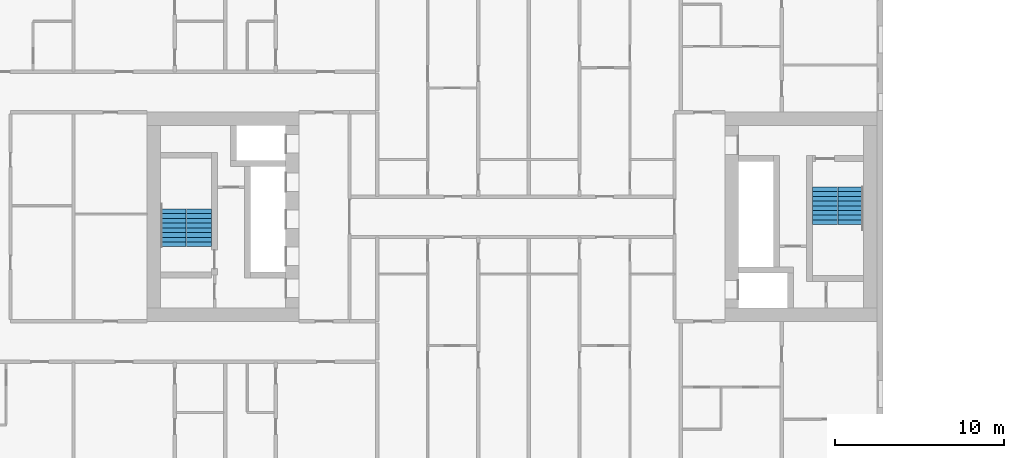
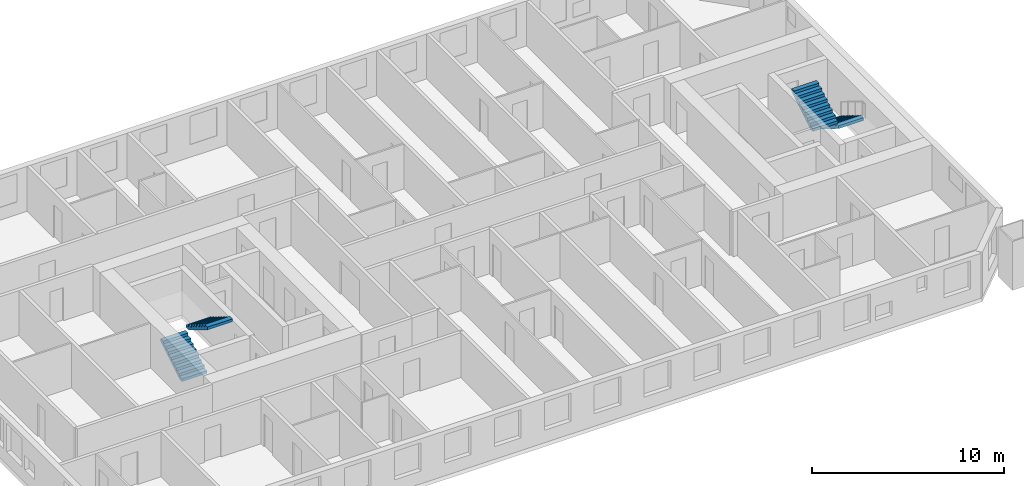
# One storey, part 16 of 17: 4 stair flights, 2 elements without a shape of their own.
"""IFC4 building model written with IfcOpenShell, lengths in metres."""

from ifc_helpers import new_model, si_unit, direction, frame, origin, place, context, subcontext, project, spatial, faceted_brep, material, type_object, element, aggregate, save


model = new_model("IFC4")

# Units and contexts
model_context = context("Model", 3, precision=1e-05, world=origin(), true_north=direction((0.0, 1.0)))
body_context = subcontext(model_context, "Body", "Model", "MODEL_VIEW")
ifc_project = project(units=[si_unit("LENGTHUNIT", "METRE"), si_unit("AREAUNIT", "SQUARE_METRE"), si_unit("VOLUMEUNIT", "CUBIC_METRE"), si_unit("PLANEANGLEUNIT", "RADIAN"), si_unit("MASSUNIT", "GRAM", prefix="KILO")], contexts=[model_context])

# Site, building, storey
site_placement = place(None, origin())
site = spatial("IfcSite", under=ifc_project, at=site_placement, CompositionType="ELEMENT")
building_placement = place(site_placement, origin())
building = spatial("IfcBuilding", under=site, at=building_placement, Name="Tuart Gate Housing", CompositionType="ELEMENT")
storey_placement = place(building_placement, frame((0.0, 0.0, 47.39990234375)))
storey = spatial("IfcBuildingStorey", under=building, at=storey_placement, Name="L12", CompositionType="ELEMENT", Elevation=47.39990234375)

# Stair, stair flights
ifc_material_1 = material(Name="Concrete C40", Category="concrete")
stair_type = type_object("IfcStairType", Name="Core stair 1500", PredefinedType="HALF_TURN_STAIR", material=ifc_material_1)
stair_1_placement = place(storey_placement, origin())
stair_1 = element("IfcStair", 1, at=stair_1_placement, inside=storey, type_object=stair_type, Name="Stair SA1", PredefinedType="HALF_TURN_STAIR")
ifc_material_2 = material(Name="Concrete C40", Category="concrete")
stair_flight_type = type_object("IfcStairFlightType", Name="Stair flight 1500, 9 risers 172 x 280", PredefinedType="STRAIGHT", material=ifc_material_2)
stair_flight_1_placement = place(storey_placement, frame((74.090087890625, 71.77490234375, 0.0), z_axis=(0.0, 0.0, 1.0), x_axis=(0.0, -1.0, 0.0)))
stair_flight_1 = element("IfcStairFlight", 2, at=stair_flight_1_placement, type_object=stair_flight_type, Name="SA1 flight 1", NumberOfRisers=9, NumberOfTreads=8, PredefinedType="STRAIGHT", RiserHeight=0.172222222, TreadLength=0.28, context=body_context, shape_type="Brep", body=[
    faceted_brep([(0.0, 0.75, 0.0), (0.0, 0.75, 0.172119140625), (0.280029296875, 0.75, 0.172119140625), (0.280029296875, 0.75, 0.344482421875), (0.56005859375, 0.75, 0.344482421875), (0.56005859375, 0.75, 0.5166015625), (0.840087890625, 0.75, 0.5166015625), (0.840087890625, 0.75, 0.68896484375), (1.1201171875, 0.75, 0.68896484375), (1.1201171875, 0.75, 0.861083984375), (1.39990234375, 0.75, 0.861083984375), (1.39990234375, 0.75, 1.033447265625), (1.679931640625, 0.75, 1.033447265625), (1.679931640625, 0.75, 1.20556640625), (1.9599609375, 0.75, 1.20556640625), (1.9599609375, 0.75, 1.377685546875), (2.239990234375, 0.75, 1.377685546875), (2.239990234375, 0.75, 1.201904296875), (0.2861328125, 0.75, 0.0), (0.2861328125, -0.75, 0.0), (2.239990234375, -0.75, 1.201904296875), (2.239990234375, -0.75, 1.377685546875), (1.9599609375, -0.75, 1.377685546875), (1.9599609375, -0.75, 1.20556640625), (1.679931640625, -0.75, 1.20556640625), (1.679931640625, -0.75, 1.033447265625), (1.39990234375, -0.75, 1.033447265625), (1.39990234375, -0.75, 0.861083984375), (1.1201171875, -0.75, 0.861083984375), (1.1201171875, -0.75, 0.68896484375), (0.840087890625, -0.75, 0.68896484375), (0.840087890625, -0.75, 0.5166015625), (0.56005859375, -0.75, 0.5166015625), (0.56005859375, -0.75, 0.344482421875), (0.280029296875, -0.75, 0.344482421875), (0.280029296875, -0.75, 0.172119140625), (0.0, -0.75, 0.172119140625), (0.0, -0.75, 0.0), (2.239990234375, 0.0, 1.201904296875), (0.2861328125, 0.0, 0.0), (2.239990234375, 0.0, 1.377685546875), (1.9599609375, 0.0, 1.377685546875), (1.9599609375, 0.0, 1.20556640625), (1.679931640625, 0.0, 1.20556640625), (1.679931640625, 0.0, 1.033447265625), (1.39990234375, 0.0, 1.033447265625), (1.39990234375, 0.0, 0.861083984375), (1.1201171875, 0.0, 0.861083984375), (1.1201171875, 0.0, 0.68896484375), (0.840087890625, 0.0, 0.68896484375), (0.840087890625, 0.0, 0.5166015625), (0.56005859375, 0.0, 0.5166015625), (0.56005859375, 0.0, 0.344482421875), (0.280029296875, 0.0, 0.344482421875), (0.280029296875, 0.0, 0.172119140625), (0.0, 0.0, 0.172119140625), (0.0, 0.0, 0.0)], [[[0, 1, 2, 3, 4, 5, 6, 7, 8, 9, 10, 11, 12, 13, 14, 15, 16, 17, 18]], [[19, 20, 21, 22, 23, 24, 25, 26, 27, 28, 29, 30, 31, 32, 33, 34, 35, 36, 37]], [[18, 17, 38, 39]], [[39, 38, 20, 19]], [[17, 16, 40, 38]], [[38, 40, 21, 20]], [[16, 15, 41, 40]], [[40, 41, 22, 21]], [[15, 14, 42, 41]], [[41, 42, 23, 22]], [[14, 13, 43, 42]], [[42, 43, 24, 23]], [[13, 12, 44, 43]], [[43, 44, 25, 24]], [[12, 11, 45, 44]], [[44, 45, 26, 25]], [[11, 10, 46, 45]], [[45, 46, 27, 26]], [[10, 9, 47, 46]], [[46, 47, 28, 27]], [[9, 8, 48, 47]], [[47, 48, 29, 28]], [[8, 7, 49, 48]], [[48, 49, 30, 29]], [[7, 6, 50, 49]], [[49, 50, 31, 30]], [[6, 5, 51, 50]], [[50, 51, 32, 31]], [[5, 4, 52, 51]], [[51, 52, 33, 32]], [[4, 3, 53, 52]], [[52, 53, 34, 33]], [[3, 2, 54, 53]], [[53, 54, 35, 34]], [[2, 1, 55, 54]], [[54, 55, 36, 35]], [[1, 0, 56, 55]], [[55, 56, 37, 36]], [[0, 18, 39, 56]], [[56, 39, 19, 37]]]),
])
stair_flight_2_placement = place(storey_placement, frame((72.56494140625, 69.534912109375, 1.550048828125), z_axis=(0.0, 0.0, 1.0), x_axis=(0.0, 1.0, 0.0)))
stair_flight_2 = element("IfcStairFlight", 3, at=stair_flight_2_placement, type_object=stair_flight_type, Name="SA1 flight 2", NumberOfRisers=9, NumberOfTreads=8, PredefinedType="STRAIGHT", RiserHeight=0.172222222, TreadLength=0.28, context=body_context, shape_type="Brep", body=[
    faceted_brep([(0.0, 0.75, 0.0), (0.0, 0.75, 0.172119140625), (0.280029296875, 0.75, 0.172119140625), (0.280029296875, 0.75, 0.344482421875), (0.56005859375, 0.75, 0.344482421875), (0.56005859375, 0.75, 0.5166015625), (0.840087890625, 0.75, 0.5166015625), (0.840087890625, 0.75, 0.68896484375), (1.1201171875, 0.75, 0.68896484375), (1.1201171875, 0.75, 0.861083984375), (1.39990234375, 0.75, 0.861083984375), (1.39990234375, 0.75, 1.033447265625), (1.679931640625, 0.75, 1.033447265625), (1.679931640625, 0.75, 1.20556640625), (1.9599609375, 0.75, 1.20556640625), (1.9599609375, 0.75, 1.377685546875), (2.239990234375, 0.75, 1.377685546875), (2.239990234375, 0.75, 1.201904296875), (0.2861328125, 0.75, 0.0), (0.2861328125, -0.75, 0.0), (2.239990234375, -0.75, 1.201904296875), (2.239990234375, -0.75, 1.377685546875), (1.9599609375, -0.75, 1.377685546875), (1.9599609375, -0.75, 1.20556640625), (1.679931640625, -0.75, 1.20556640625), (1.679931640625, -0.75, 1.033447265625), (1.39990234375, -0.75, 1.033447265625), (1.39990234375, -0.75, 0.861083984375), (1.1201171875, -0.75, 0.861083984375), (1.1201171875, -0.75, 0.68896484375), (0.840087890625, -0.75, 0.68896484375), (0.840087890625, -0.75, 0.5166015625), (0.56005859375, -0.75, 0.5166015625), (0.56005859375, -0.75, 0.344482421875), (0.280029296875, -0.75, 0.344482421875), (0.280029296875, -0.75, 0.172119140625), (0.0, -0.75, 0.172119140625), (0.0, -0.75, 0.0), (2.239990234375, 0.0, 1.201904296875), (0.2861328125, 0.0, 0.0), (2.239990234375, 0.0, 1.377685546875), (1.9599609375, 0.0, 1.377685546875), (1.9599609375, 0.0, 1.20556640625), (1.679931640625, 0.0, 1.20556640625), (1.679931640625, 0.0, 1.033447265625), (1.39990234375, 0.0, 1.033447265625), (1.39990234375, 0.0, 0.861083984375), (1.1201171875, 0.0, 0.861083984375), (1.1201171875, 0.0, 0.68896484375), (0.840087890625, 0.0, 0.68896484375), (0.840087890625, 0.0, 0.5166015625), (0.56005859375, 0.0, 0.5166015625), (0.56005859375, 0.0, 0.344482421875), (0.280029296875, 0.0, 0.344482421875), (0.280029296875, 0.0, 0.172119140625), (0.0, 0.0, 0.172119140625), (0.0, 0.0, 0.0)], [[[0, 1, 2, 3, 4, 5, 6, 7, 8, 9, 10, 11, 12, 13, 14, 15, 16, 17, 18]], [[19, 20, 21, 22, 23, 24, 25, 26, 27, 28, 29, 30, 31, 32, 33, 34, 35, 36, 37]], [[18, 17, 38, 39]], [[39, 38, 20, 19]], [[17, 16, 40, 38]], [[38, 40, 21, 20]], [[16, 15, 41, 40]], [[40, 41, 22, 21]], [[15, 14, 42, 41]], [[41, 42, 23, 22]], [[14, 13, 43, 42]], [[42, 43, 24, 23]], [[13, 12, 44, 43]], [[43, 44, 25, 24]], [[12, 11, 45, 44]], [[44, 45, 26, 25]], [[11, 10, 46, 45]], [[45, 46, 27, 26]], [[10, 9, 47, 46]], [[46, 47, 28, 27]], [[9, 8, 48, 47]], [[47, 48, 29, 28]], [[8, 7, 49, 48]], [[48, 49, 30, 29]], [[7, 6, 50, 49]], [[49, 50, 31, 30]], [[6, 5, 51, 50]], [[50, 51, 32, 31]], [[5, 4, 52, 51]], [[51, 52, 33, 32]], [[4, 3, 53, 52]], [[52, 53, 34, 33]], [[3, 2, 54, 53]], [[53, 54, 35, 34]], [[2, 1, 55, 54]], [[54, 55, 36, 35]], [[1, 0, 56, 55]], [[55, 56, 37, 36]], [[0, 18, 39, 56]], [[56, 39, 19, 37]]]),
])
aggregate(stair_1, [stair_flight_1, stair_flight_2])

stair_2_placement = place(storey_placement, origin())
stair_2 = element("IfcStair", 4, at=stair_2_placement, inside=storey, type_object=stair_type, Name="Stair SA2", PredefinedType="HALF_TURN_STAIR")
stair_flight_3_placement = place(storey_placement, frame((33.909912109375, 68.22509765625, 0.0), z_axis=(0.0, 0.0, 1.0), x_axis=(0.0, 1.0, 0.0)))
stair_flight_3 = element("IfcStairFlight", 5, at=stair_flight_3_placement, type_object=stair_flight_type, Name="SA2 flight 1", NumberOfRisers=9, NumberOfTreads=8, PredefinedType="STRAIGHT", RiserHeight=0.172222222, TreadLength=0.28, context=body_context, shape_type="Brep", body=[
    faceted_brep([(0.0, 0.75, 0.0), (0.0, 0.75, 0.172119140625), (0.280029296875, 0.75, 0.172119140625), (0.280029296875, 0.75, 0.344482421875), (0.56005859375, 0.75, 0.344482421875), (0.56005859375, 0.75, 0.5166015625), (0.840087890625, 0.75, 0.5166015625), (0.840087890625, 0.75, 0.68896484375), (1.1201171875, 0.75, 0.68896484375), (1.1201171875, 0.75, 0.861083984375), (1.39990234375, 0.75, 0.861083984375), (1.39990234375, 0.75, 1.033447265625), (1.679931640625, 0.75, 1.033447265625), (1.679931640625, 0.75, 1.20556640625), (1.9599609375, 0.75, 1.20556640625), (1.9599609375, 0.75, 1.377685546875), (2.239990234375, 0.75, 1.377685546875), (2.239990234375, 0.75, 1.201904296875), (0.2861328125, 0.75, 0.0), (0.2861328125, -0.75, 0.0), (2.239990234375, -0.75, 1.201904296875), (2.239990234375, -0.75, 1.377685546875), (1.9599609375, -0.75, 1.377685546875), (1.9599609375, -0.75, 1.20556640625), (1.679931640625, -0.75, 1.20556640625), (1.679931640625, -0.75, 1.033447265625), (1.39990234375, -0.75, 1.033447265625), (1.39990234375, -0.75, 0.861083984375), (1.1201171875, -0.75, 0.861083984375), (1.1201171875, -0.75, 0.68896484375), (0.840087890625, -0.75, 0.68896484375), (0.840087890625, -0.75, 0.5166015625), (0.56005859375, -0.75, 0.5166015625), (0.56005859375, -0.75, 0.344482421875), (0.280029296875, -0.75, 0.344482421875), (0.280029296875, -0.75, 0.172119140625), (0.0, -0.75, 0.172119140625), (0.0, -0.75, 0.0), (2.239990234375, 0.0, 1.201904296875), (0.2861328125, 0.0, 0.0), (2.239990234375, 0.0, 1.377685546875), (1.9599609375, 0.0, 1.377685546875), (1.9599609375, 0.0, 1.20556640625), (1.679931640625, 0.0, 1.20556640625), (1.679931640625, 0.0, 1.033447265625), (1.39990234375, 0.0, 1.033447265625), (1.39990234375, 0.0, 0.861083984375), (1.1201171875, 0.0, 0.861083984375), (1.1201171875, 0.0, 0.68896484375), (0.840087890625, 0.0, 0.68896484375), (0.840087890625, 0.0, 0.5166015625), (0.56005859375, 0.0, 0.5166015625), (0.56005859375, 0.0, 0.344482421875), (0.280029296875, 0.0, 0.344482421875), (0.280029296875, 0.0, 0.172119140625), (0.0, 0.0, 0.172119140625), (0.0, 0.0, 0.0)], [[[0, 1, 2, 3, 4, 5, 6, 7, 8, 9, 10, 11, 12, 13, 14, 15, 16, 17, 18]], [[19, 20, 21, 22, 23, 24, 25, 26, 27, 28, 29, 30, 31, 32, 33, 34, 35, 36, 37]], [[18, 17, 38, 39]], [[39, 38, 20, 19]], [[17, 16, 40, 38]], [[38, 40, 21, 20]], [[16, 15, 41, 40]], [[40, 41, 22, 21]], [[15, 14, 42, 41]], [[41, 42, 23, 22]], [[14, 13, 43, 42]], [[42, 43, 24, 23]], [[13, 12, 44, 43]], [[43, 44, 25, 24]], [[12, 11, 45, 44]], [[44, 45, 26, 25]], [[11, 10, 46, 45]], [[45, 46, 27, 26]], [[10, 9, 47, 46]], [[46, 47, 28, 27]], [[9, 8, 48, 47]], [[47, 48, 29, 28]], [[8, 7, 49, 48]], [[48, 49, 30, 29]], [[7, 6, 50, 49]], [[49, 50, 31, 30]], [[6, 5, 51, 50]], [[50, 51, 32, 31]], [[5, 4, 52, 51]], [[51, 52, 33, 32]], [[4, 3, 53, 52]], [[52, 53, 34, 33]], [[3, 2, 54, 53]], [[53, 54, 35, 34]], [[2, 1, 55, 54]], [[54, 55, 36, 35]], [[1, 0, 56, 55]], [[55, 56, 37, 36]], [[0, 18, 39, 56]], [[56, 39, 19, 37]]]),
])
stair_flight_4_placement = place(storey_placement, frame((35.43505859375, 70.465087890625, 1.550048828125), z_axis=(0.0, 0.0, 1.0), x_axis=(0.0, -1.0, 0.0)))
stair_flight_4 = element("IfcStairFlight", 6, at=stair_flight_4_placement, type_object=stair_flight_type, Name="SA2 flight 2", NumberOfRisers=9, NumberOfTreads=8, PredefinedType="STRAIGHT", RiserHeight=0.172222222, TreadLength=0.28, context=body_context, shape_type="Brep", body=[
    faceted_brep([(0.0, 0.75, 0.0), (0.0, 0.75, 0.172119140625), (0.280029296875, 0.75, 0.172119140625), (0.280029296875, 0.75, 0.344482421875), (0.56005859375, 0.75, 0.344482421875), (0.56005859375, 0.75, 0.5166015625), (0.840087890625, 0.75, 0.5166015625), (0.840087890625, 0.75, 0.68896484375), (1.1201171875, 0.75, 0.68896484375), (1.1201171875, 0.75, 0.861083984375), (1.39990234375, 0.75, 0.861083984375), (1.39990234375, 0.75, 1.033447265625), (1.679931640625, 0.75, 1.033447265625), (1.679931640625, 0.75, 1.20556640625), (1.9599609375, 0.75, 1.20556640625), (1.9599609375, 0.75, 1.377685546875), (2.239990234375, 0.75, 1.377685546875), (2.239990234375, 0.75, 1.201904296875), (0.2861328125, 0.75, 0.0), (0.2861328125, -0.75, 0.0), (2.239990234375, -0.75, 1.201904296875), (2.239990234375, -0.75, 1.377685546875), (1.9599609375, -0.75, 1.377685546875), (1.9599609375, -0.75, 1.20556640625), (1.679931640625, -0.75, 1.20556640625), (1.679931640625, -0.75, 1.033447265625), (1.39990234375, -0.75, 1.033447265625), (1.39990234375, -0.75, 0.861083984375), (1.1201171875, -0.75, 0.861083984375), (1.1201171875, -0.75, 0.68896484375), (0.840087890625, -0.75, 0.68896484375), (0.840087890625, -0.75, 0.5166015625), (0.56005859375, -0.75, 0.5166015625), (0.56005859375, -0.75, 0.344482421875), (0.280029296875, -0.75, 0.344482421875), (0.280029296875, -0.75, 0.172119140625), (0.0, -0.75, 0.172119140625), (0.0, -0.75, 0.0), (2.239990234375, 0.0, 1.201904296875), (0.2861328125, 0.0, 0.0), (2.239990234375, 0.0, 1.377685546875), (1.9599609375, 0.0, 1.377685546875), (1.9599609375, 0.0, 1.20556640625), (1.679931640625, 0.0, 1.20556640625), (1.679931640625, 0.0, 1.033447265625), (1.39990234375, 0.0, 1.033447265625), (1.39990234375, 0.0, 0.861083984375), (1.1201171875, 0.0, 0.861083984375), (1.1201171875, 0.0, 0.68896484375), (0.840087890625, 0.0, 0.68896484375), (0.840087890625, 0.0, 0.5166015625), (0.56005859375, 0.0, 0.5166015625), (0.56005859375, 0.0, 0.344482421875), (0.280029296875, 0.0, 0.344482421875), (0.280029296875, 0.0, 0.172119140625), (0.0, 0.0, 0.172119140625), (0.0, 0.0, 0.0)], [[[0, 1, 2, 3, 4, 5, 6, 7, 8, 9, 10, 11, 12, 13, 14, 15, 16, 17, 18]], [[19, 20, 21, 22, 23, 24, 25, 26, 27, 28, 29, 30, 31, 32, 33, 34, 35, 36, 37]], [[18, 17, 38, 39]], [[39, 38, 20, 19]], [[17, 16, 40, 38]], [[38, 40, 21, 20]], [[16, 15, 41, 40]], [[40, 41, 22, 21]], [[15, 14, 42, 41]], [[41, 42, 23, 22]], [[14, 13, 43, 42]], [[42, 43, 24, 23]], [[13, 12, 44, 43]], [[43, 44, 25, 24]], [[12, 11, 45, 44]], [[44, 45, 26, 25]], [[11, 10, 46, 45]], [[45, 46, 27, 26]], [[10, 9, 47, 46]], [[46, 47, 28, 27]], [[9, 8, 48, 47]], [[47, 48, 29, 28]], [[8, 7, 49, 48]], [[48, 49, 30, 29]], [[7, 6, 50, 49]], [[49, 50, 31, 30]], [[6, 5, 51, 50]], [[50, 51, 32, 31]], [[5, 4, 52, 51]], [[51, 52, 33, 32]], [[4, 3, 53, 52]], [[52, 53, 34, 33]], [[3, 2, 54, 53]], [[53, 54, 35, 34]], [[2, 1, 55, 54]], [[54, 55, 36, 35]], [[1, 0, 56, 55]], [[55, 56, 37, 36]], [[0, 18, 39, 56]], [[56, 39, 19, 37]]]),
])
aggregate(stair_2, [stair_flight_3, stair_flight_4])

save(model, "model.ifc")
